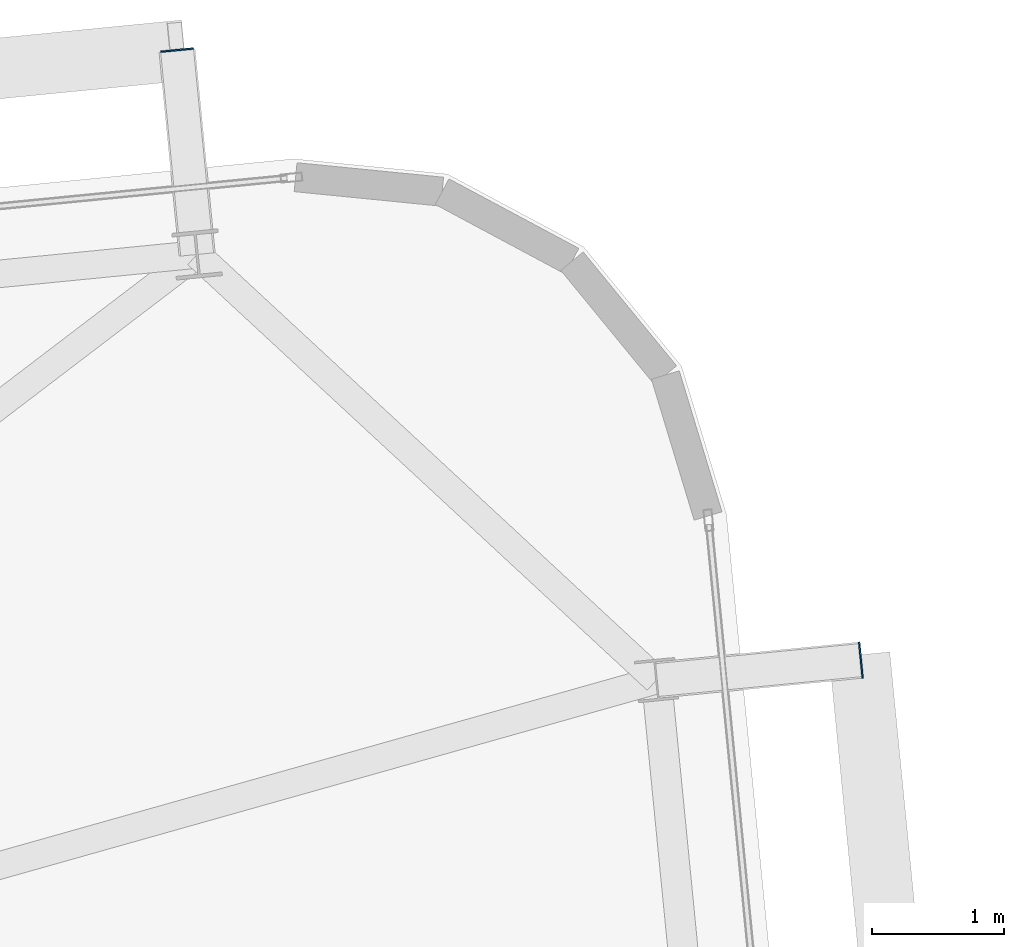
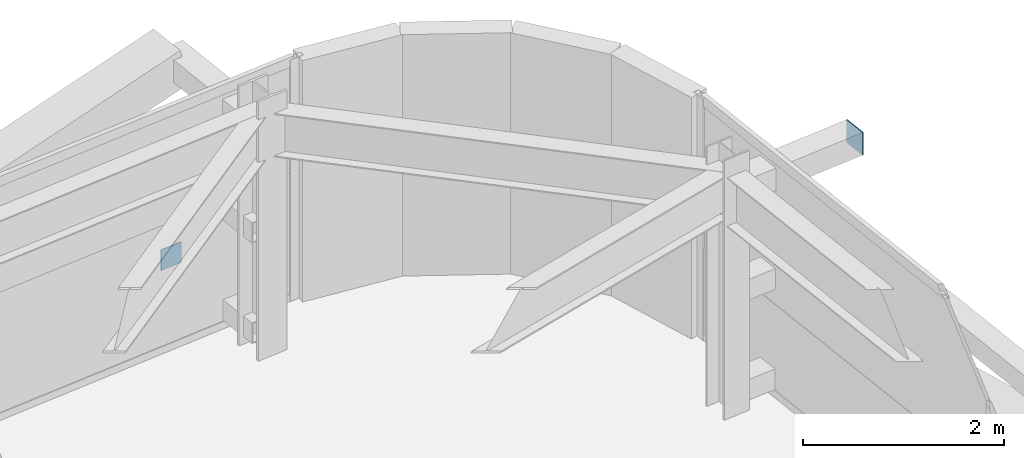
# One storey, part 40 of 47: 2 plates.
"""IFC4 building model written with IfcOpenShell, lengths in metres."""

from ifc_helpers import new_model, si_unit, direction, frame, origin, origin_2d, place, context, subcontext, project, spatial, rectangle, extrude, source, transform, mapped, material, layer, layer_set, type_object, element, save


model = new_model("IFC4")

# Units and contexts
model_context = context("Model", 3, precision=1e-05, world=origin(), true_north=direction((0.0, 1.0)))
body_context = subcontext(model_context, "Body", "Model", "MODEL_VIEW")
ifc_project = project(units=[si_unit("LENGTHUNIT", "METRE"), si_unit("AREAUNIT", "SQUARE_METRE"), si_unit("VOLUMEUNIT", "CUBIC_METRE"), si_unit("PLANEANGLEUNIT", "RADIAN"), si_unit("MASSUNIT", "GRAM", prefix="KILO")], contexts=[model_context])

# Site, building, storey
site_placement = place(None, origin())
site = spatial("IfcSite", under=ifc_project, at=site_placement, CompositionType="ELEMENT")
building_placement = place(site_placement, origin())
building = spatial("IfcBuilding", under=site, at=building_placement, Name="Taldren Reach Tower", CompositionType="ELEMENT")
storey_placement = place(building_placement, frame((0.0, 0.0, 106.050048828125)))
storey = spatial("IfcBuildingStorey", under=building, at=storey_placement, Name="L32", CompositionType="ELEMENT", Elevation=106.050048828125)

# Plates
ifc_material_1 = material(Name="Steel Gr 450 (C450L0)", Category="steel")
ifc_layer_1 = layer(ifc_material_1, 0.011962890625)
ifc_layer_set_1 = layer_set([ifc_layer_1], Name="Steel Gr 450 (C450L0)")
plate_type_1 = type_object("IfcPlateType", Name="PL-CAP-275", PredefinedType="SHEET", material=ifc_layer_set_1)
shared_shape_1 = source(origin(), body_context, "Body", "SweptSolid", [
    extrude(rectangle(XDim=0.011962890625, YDim=0.27490234375, at=origin_2d()), origin(), (0.0, 0.0, 1.0), 0.27490234375),
])
plate_1_placement = place(storey_placement, frame((64.7958984375, 35.60595703125, 2.512451171875), z_axis=(0.0, 0.0, 1.0), x_axis=(0.995227399982, 0.097582899759, 0.0)))
element("IfcPlate", 1, at=plate_1_placement, inside=storey, type_object=plate_type_1, Name="Tie strut end cap plate B2-E3 L32", PredefinedType="SHEET", context=body_context, shape_type="MappedRepresentation", body=[
    mapped(shared_shape_1, transform((0.0, 0.0, 0.0), scale=1.0)),
])
ifc_material_2 = material(Name="Steel Gr 350 (C350L0)", Category="steel")
ifc_layer_2 = layer(ifc_material_2, 0.011962890625)
ifc_layer_set_2 = layer_set([ifc_layer_2], Name="Steel Gr 350 (C350L0)")
plate_type_2 = type_object("IfcPlateType", Name="PL-CAP-250", PredefinedType="SHEET", material=ifc_layer_set_2)
shared_shape_2 = source(origin(), body_context, "Body", "SweptSolid", [
    extrude(rectangle(XDim=0.25, YDim=0.011962890625, at=origin_2d()), origin(), (0.0, 0.0, 1.0), 0.25),
])
plate_2_placement = place(storey_placement, frame((59.614013671875, 40.228515625, 0.094970703125), z_axis=(0.0, 0.0, 1.0), x_axis=(0.995227399982, 0.097582899759, 0.0)))
element("IfcPlate", 2, at=plate_2_placement, inside=storey, type_object=plate_type_2, Name="Tie strut end cap plate B2-N6 L32", PredefinedType="SHEET", context=body_context, shape_type="MappedRepresentation", body=[
    mapped(shared_shape_2, transform((0.0, 0.0, 0.0), scale=1.0)),
])

save(model, "model.ifc")
